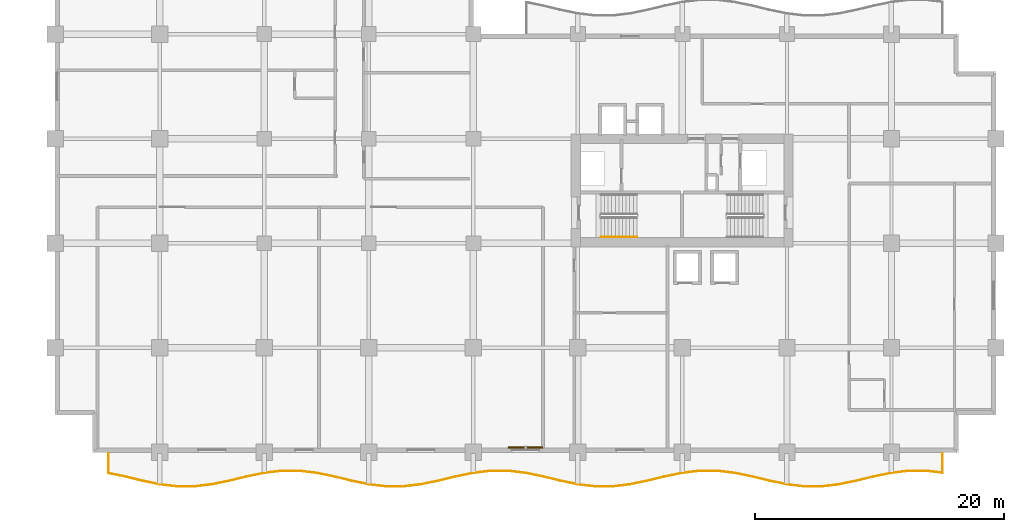
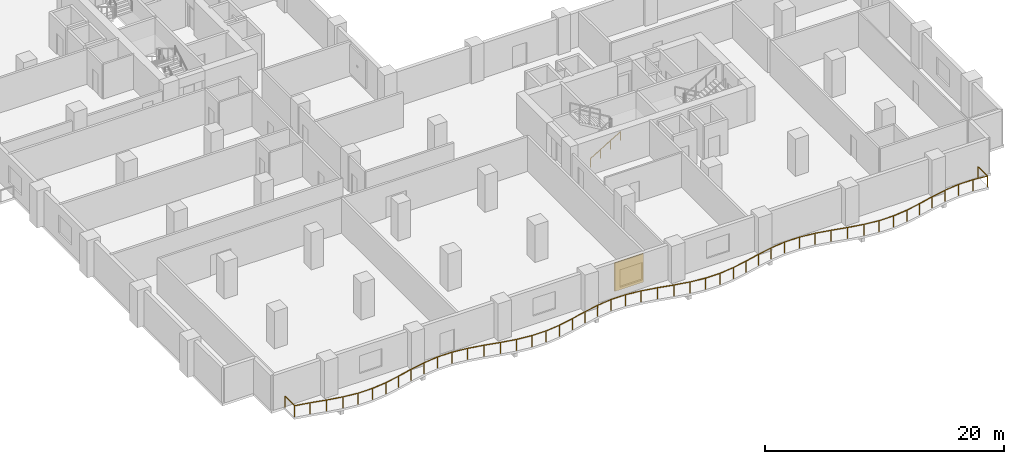
# One storey, part 12 of 15: 2 railings, 1 shading device.
"""IFC4 building model written with IfcOpenShell, lengths in metres."""

from ifc_helpers import new_model, si_unit, direction, frame, origin, origin_2d, place, context, subcontext, project, spatial, rectangle, circle, extrude, material, layer, layer_set, type_object, element, save


model = new_model("IFC4")

# Units and contexts
model_context = context("Model", 3, precision=1e-05, world=origin(), true_north=direction((0.0, 1.0)))
body_context = subcontext(model_context, "Body", "Model", "MODEL_VIEW")
ifc_project = project(units=[si_unit("LENGTHUNIT", "METRE"), si_unit("AREAUNIT", "SQUARE_METRE"), si_unit("VOLUMEUNIT", "CUBIC_METRE"), si_unit("PLANEANGLEUNIT", "RADIAN"), si_unit("MASSUNIT", "GRAM", prefix="KILO")], contexts=[model_context])

# Site, building, storey
site_placement = place(None, origin())
site = spatial("IfcSite", under=ifc_project, at=site_placement, CompositionType="ELEMENT")
building_placement = place(site_placement, origin())
building = spatial("IfcBuilding", under=site, at=building_placement, Name="Koriwani Terraces Tower", CompositionType="ELEMENT")
storey_placement = place(building_placement, frame((0.0, 0.0, 138.0)))
storey = spatial("IfcBuildingStorey", under=building, at=storey_placement, Name="L33", CompositionType="ELEMENT", Elevation=138.0)

# Railings
ifc_material_1 = material(Name="Steel ASTM A572 Grade 50", Category="steel")
railing_type_1 = type_object("IfcRailingType", Name="GUARD_BALUSTRADE_1150", PredefinedType="BALUSTRADE", material=ifc_material_1)
railing_1_placement = place(storey_placement, frame((4.280029296875, -0.080078125, 0.0)))
element("IfcRailing", 1, at=railing_1_placement, inside=storey, type_object=railing_type_1, Name="L33 Balcony Perimeter Safety Balustrade (S)", PredefinedType="BALUSTRADE", context=body_context, shape_type="SweptSolid", body=[
    extrude(circle(Radius=0.02392578125, at=origin_2d()), frame((0.0, 0.0, 1.1259765625), z_axis=(0.0, -1.0, 0.0), x_axis=(1.0, 0.0, 0.0)), (0.0, 0.0, 1.0), 1.59521484375),
    extrude(circle(Radius=0.02392578125, at=origin_2d()), frame((0.0, -1.59521484375, 1.1259765625), z_axis=(0.979025001838, -0.20374014277, 0.0), x_axis=(0.20374014277, 0.979025001838, 0.0)), (0.0, 0.0, 1.0), 1.365966796875),
    extrude(circle(Radius=0.02392578125, at=origin_2d()), frame((1.33740234375, -1.87353515625, 1.1259765625), z_axis=(0.972325709638, -0.233629438166, 0.0), x_axis=(0.233629438166, 0.972325709638, 0.0)), (0.0, 0.0, 1.0), 1.43994140625),
    extrude(circle(Radius=0.02392578125, at=origin_2d()), frame((2.737548828125, -2.2099609375, 1.1259765625), z_axis=(0.979001791719, -0.20385164167, 0.0), x_axis=(0.20385164167, 0.979001791719, 0.0)), (0.0, 0.0, 1.0), 1.42529296875),
    extrude(circle(Radius=0.02392578125, at=origin_2d()), frame((4.1328125, -2.50048828125, 1.1259765625), z_axis=(0.992858697273, -0.119296300234, 0.0), x_axis=(0.119296300234, 0.992858697273, 0.0)), (0.0, 0.0, 1.0), 1.40185546875),
    extrude(circle(Radius=0.02392578125, at=origin_2d()), frame((5.524658203125, -2.667724609375, 1.1259765625), z_axis=(1.0, 0.0, 0.0), x_axis=(0.0, 1.0, 0.0)), (0.0, 0.0, 1.0), 1.390625),
    extrude(circle(Radius=0.02392578125, at=origin_2d()), frame((6.915283203125, -2.667724609375, 1.1259765625), z_axis=(0.992858697273, 0.119296300234, 0.0), x_axis=(-0.119296300234, 0.992858697273, 0.0)), (0.0, 0.0, 1.0), 1.40185546875),
    extrude(circle(Radius=0.02392578125, at=origin_2d()), frame((8.30712890625, -2.50048828125, 1.1259765625), z_axis=(0.979001791719, 0.20385164167, 0.0), x_axis=(-0.20385164167, 0.979001791719, 0.0)), (0.0, 0.0, 1.0), 1.42529296875),
    extrude(circle(Radius=0.02392578125, at=origin_2d()), frame((9.702392578125, -2.2099609375, 1.1259765625), z_axis=(0.972325709638, 0.233629438166, 0.0), x_axis=(-0.233629438166, 0.972325709638, 0.0)), (0.0, 0.0, 1.0), 1.43994140625),
    extrude(circle(Radius=0.02392578125, at=origin_2d()), frame((11.1025390625, -1.87353515625, 1.1259765625), z_axis=(0.979066698056, 0.203539678581, 0.0), x_axis=(-0.203539678581, 0.979066698056, 0.0)), (0.0, 0.0, 1.0), 1.4345703125),
    extrude(circle(Radius=0.02392578125, at=origin_2d()), frame((12.507080078125, -1.58154296875, 1.1259765625), z_axis=(0.992859723616, 0.119287758056, 0.0), x_axis=(-0.119287758056, 0.992859723616, 0.0)), (0.0, 0.0, 1.0), 1.418212890625),
    extrude(circle(Radius=0.02392578125, at=origin_2d()), frame((13.915283203125, -1.412353515625, 1.1259765625), z_axis=(1.0, 0.0, 0.0), x_axis=(0.0, 1.0, 0.0)), (0.0, 0.0, 1.0), 1.409423828125),
    extrude(circle(Radius=0.02392578125, at=origin_2d()), frame((15.32470703125, -1.412353515625, 1.1259765625), z_axis=(0.992859723616, -0.119287758056, 0.0), x_axis=(0.119287758056, 0.992859723616, 0.0)), (0.0, 0.0, 1.0), 1.418212890625),
    extrude(circle(Radius=0.02392578125, at=origin_2d()), frame((16.73291015625, -1.58154296875, 1.1259765625), z_axis=(0.979066698056, -0.203539678581, 0.0), x_axis=(0.203539678581, 0.979066698056, 0.0)), (0.0, 0.0, 1.0), 1.4345703125),
    extrude(circle(Radius=0.02392578125, at=origin_2d()), frame((18.137451171875, -1.87353515625, 1.1259765625), z_axis=(0.972316453264, -0.233667958249, 0.0), x_axis=(0.233667958249, 0.972316453264, 0.0)), (0.0, 0.0, 1.0), 1.439697265625),
    extrude(circle(Radius=0.02392578125, at=origin_2d()), frame((19.537353515625, -2.2099609375, 1.1259765625), z_axis=(0.979008908546, -0.203817459967, 0.0), x_axis=(0.203817459967, 0.979008908546, 0.0)), (0.0, 0.0, 1.0), 1.425537109375),
    extrude(circle(Radius=0.02392578125, at=origin_2d()), frame((20.932861328125, -2.50048828125, 1.1259765625), z_axis=(0.992858697273, -0.119296300234, 0.0), x_axis=(0.119296300234, 0.992858697273, 0.0)), (0.0, 0.0, 1.0), 1.40185546875),
    extrude(circle(Radius=0.02392578125, at=origin_2d()), frame((22.32470703125, -2.667724609375, 1.1259765625), z_axis=(1.0, 0.0, 0.0), x_axis=(0.0, 1.0, 0.0)), (0.0, 0.0, 1.0), 1.390380859375),
    extrude(circle(Radius=0.02392578125, at=origin_2d()), frame((23.715087890625, -2.667724609375, 1.1259765625), z_axis=(0.992861175138, 0.119275676073, 0.0), x_axis=(-0.119275676073, 0.992861175138, 0.0)), (0.0, 0.0, 1.0), 1.402099609375),
    extrude(circle(Radius=0.02392578125, at=origin_2d()), frame((25.107177734375, -2.50048828125, 1.1259765625), z_axis=(0.979001791719, 0.20385164167, 0.0), x_axis=(-0.20385164167, 0.979001791719, 0.0)), (0.0, 0.0, 1.0), 1.42529296875),
    extrude(circle(Radius=0.02392578125, at=origin_2d()), frame((26.50244140625, -2.2099609375, 1.1259765625), z_axis=(0.972325709638, 0.233629438166, 0.0), x_axis=(-0.233629438166, 0.972325709638, 0.0)), (0.0, 0.0, 1.0), 1.43994140625),
    extrude(circle(Radius=0.02392578125, at=origin_2d()), frame((27.902587890625, -1.87353515625, 1.1259765625), z_axis=(0.979066698056, 0.203539678581, 0.0), x_axis=(-0.203539678581, 0.979066698056, 0.0)), (0.0, 0.0, 1.0), 1.4345703125),
    extrude(circle(Radius=0.02392578125, at=origin_2d()), frame((29.30712890625, -1.58154296875, 1.1259765625), z_axis=(0.992857273618, 0.119308148191, 0.0), x_axis=(-0.119308148191, 0.992857273618, 0.0)), (0.0, 0.0, 1.0), 1.41796875),
    extrude(circle(Radius=0.02392578125, at=origin_2d()), frame((30.715087890625, -1.412353515625, 1.1259765625), z_axis=(1.0, 0.0, 0.0), x_axis=(0.0, 1.0, 0.0)), (0.0, 0.0, 1.0), 1.40966796875),
    extrude(circle(Radius=0.02392578125, at=origin_2d()), frame((32.124755859375, -1.412353515625, 1.1259765625), z_axis=(0.992859723616, -0.119287758056, 0.0), x_axis=(0.119287758056, 0.992859723616, 0.0)), (0.0, 0.0, 1.0), 1.418212890625),
    extrude(circle(Radius=0.02392578125, at=origin_2d()), frame((33.532958984375, -1.58154296875, 1.1259765625), z_axis=(0.979066698056, -0.203539678581, 0.0), x_axis=(0.203539678581, 0.979066698056, 0.0)), (0.0, 0.0, 1.0), 1.4345703125),
    extrude(circle(Radius=0.02392578125, at=origin_2d()), frame((34.9375, -1.87353515625, 1.1259765625), z_axis=(0.972316453264, -0.233667958249, 0.0), x_axis=(0.233667958249, 0.972316453264, 0.0)), (0.0, 0.0, 1.0), 1.439697265625),
    extrude(circle(Radius=0.02392578125, at=origin_2d()), frame((36.33740234375, -2.2099609375, 1.1259765625), z_axis=(0.979008908546, -0.203817459967, 0.0), x_axis=(0.203817459967, 0.979008908546, 0.0)), (0.0, 0.0, 1.0), 1.425537109375),
    extrude(circle(Radius=0.02392578125, at=origin_2d()), frame((37.73291015625, -2.50048828125, 1.1259765625), z_axis=(0.992858697273, -0.119296300234, 0.0), x_axis=(0.119296300234, 0.992858697273, 0.0)), (0.0, 0.0, 1.0), 1.40185546875),
    extrude(circle(Radius=0.02392578125, at=origin_2d()), frame((39.124755859375, -2.667724609375, 1.1259765625), z_axis=(1.0, 0.0, 0.0), x_axis=(0.0, 1.0, 0.0)), (0.0, 0.0, 1.0), 1.390380859375),
    extrude(circle(Radius=0.02392578125, at=origin_2d()), frame((40.51513671875, -2.667724609375, 1.1259765625), z_axis=(0.992858697273, 0.119296300234, 0.0), x_axis=(-0.119296300234, 0.992858697273, 0.0)), (0.0, 0.0, 1.0), 1.40185546875),
    extrude(circle(Radius=0.02392578125, at=origin_2d()), frame((41.906982421875, -2.50048828125, 1.1259765625), z_axis=(0.979008908546, 0.203817459967, 0.0), x_axis=(-0.203817459967, 0.979008908546, 0.0)), (0.0, 0.0, 1.0), 1.425537109375),
    extrude(circle(Radius=0.02392578125, at=origin_2d()), frame((43.302490234375, -2.2099609375, 1.1259765625), z_axis=(0.972316453264, 0.233667958249, 0.0), x_axis=(-0.233667958249, 0.972316453264, 0.0)), (0.0, 0.0, 1.0), 1.439697265625),
    extrude(circle(Radius=0.02392578125, at=origin_2d()), frame((44.702392578125, -1.87353515625, 1.1259765625), z_axis=(0.979073746732, 0.203505770089, 0.0), x_axis=(-0.203505770089, 0.979073746732, 0.0)), (0.0, 0.0, 1.0), 1.434814453125),
    extrude(circle(Radius=0.02392578125, at=origin_2d()), frame((46.107177734375, -1.58154296875, 1.1259765625), z_axis=(0.992857273618, 0.119308148191, 0.0), x_axis=(-0.119308148191, 0.992857273618, 0.0)), (0.0, 0.0, 1.0), 1.41796875),
    extrude(circle(Radius=0.02392578125, at=origin_2d()), frame((47.51513671875, -1.412353515625, 1.1259765625), z_axis=(1.0, 0.0, 0.0), x_axis=(0.0, 1.0, 0.0)), (0.0, 0.0, 1.0), 1.40966796875),
    extrude(circle(Radius=0.02392578125, at=origin_2d()), frame((48.9248046875, -1.412353515625, 1.1259765625), z_axis=(0.992857273618, -0.119308148191, 0.0), x_axis=(0.119308148191, 0.992857273618, 0.0)), (0.0, 0.0, 1.0), 1.41796875),
    extrude(circle(Radius=0.02392578125, at=origin_2d()), frame((50.332763671875, -1.58154296875, 1.1259765625), z_axis=(0.979073746732, -0.203505770089, 0.0), x_axis=(0.203505770089, 0.979073746732, 0.0)), (0.0, 0.0, 1.0), 1.434814453125),
    extrude(circle(Radius=0.02392578125, at=origin_2d()), frame((51.737548828125, -1.87353515625, 1.1259765625), z_axis=(0.972316453264, -0.233667958249, 0.0), x_axis=(0.233667958249, 0.972316453264, 0.0)), (0.0, 0.0, 1.0), 1.439697265625),
    extrude(circle(Radius=0.02392578125, at=origin_2d()), frame((53.137451171875, -2.2099609375, 1.1259765625), z_axis=(0.979008908546, -0.203817459967, 0.0), x_axis=(0.203817459967, 0.979008908546, 0.0)), (0.0, 0.0, 1.0), 1.425537109375),
    extrude(circle(Radius=0.02392578125, at=origin_2d()), frame((54.532958984375, -2.50048828125, 1.1259765625), z_axis=(0.992858697273, -0.119296300234, 0.0), x_axis=(0.119296300234, 0.992858697273, 0.0)), (0.0, 0.0, 1.0), 1.40185546875),
    extrude(circle(Radius=0.02392578125, at=origin_2d()), frame((55.9248046875, -2.667724609375, 1.1259765625), z_axis=(1.0, 0.0, 0.0), x_axis=(0.0, 1.0, 0.0)), (0.0, 0.0, 1.0), 1.390380859375),
    extrude(circle(Radius=0.02392578125, at=origin_2d()), frame((57.315185546875, -2.667724609375, 1.1259765625), z_axis=(0.992858697273, 0.119296300234, 0.0), x_axis=(-0.119296300234, 0.992858697273, 0.0)), (0.0, 0.0, 1.0), 1.40185546875),
    extrude(circle(Radius=0.02392578125, at=origin_2d()), frame((58.70703125, -2.50048828125, 1.1259765625), z_axis=(0.979008908546, 0.203817459967, 0.0), x_axis=(-0.203817459967, 0.979008908546, 0.0)), (0.0, 0.0, 1.0), 1.425537109375),
    extrude(circle(Radius=0.02392578125, at=origin_2d()), frame((60.1025390625, -2.2099609375, 1.1259765625), z_axis=(0.972316453264, 0.233667958249, 0.0), x_axis=(-0.233667958249, 0.972316453264, 0.0)), (0.0, 0.0, 1.0), 1.439697265625),
    extrude(circle(Radius=0.02392578125, at=origin_2d()), frame((61.50244140625, -1.87353515625, 1.1259765625), z_axis=(0.979066698056, 0.203539678581, 0.0), x_axis=(-0.203539678581, 0.979066698056, 0.0)), (0.0, 0.0, 1.0), 1.4345703125),
    extrude(circle(Radius=0.02392578125, at=origin_2d()), frame((62.906982421875, -1.58154296875, 1.1259765625), z_axis=(0.992859723616, 0.119287758056, 0.0), x_axis=(-0.119287758056, 0.992859723616, 0.0)), (0.0, 0.0, 1.0), 1.418212890625),
    extrude(circle(Radius=0.02392578125, at=origin_2d()), frame((64.315185546875, -1.412353515625, 1.1259765625), z_axis=(1.0, 0.0, 0.0), x_axis=(0.0, 1.0, 0.0)), (0.0, 0.0, 1.0), 1.40966796875),
    extrude(circle(Radius=0.02392578125, at=origin_2d()), frame((65.724853515625, -1.412353515625, 1.1259765625), z_axis=(0.992886428773, -0.119065274362, 0.0), x_axis=(0.119065274362, 0.992886428773, 0.0)), (0.0, 0.0, 1.0), 1.32470703125),
    extrude(circle(Radius=0.02392578125, at=origin_2d()), frame((67.0400390625, -1.570068359375, 1.1259765625), z_axis=(0.0, 1.0, 0.0), x_axis=(-1.0, 0.0, 0.0)), (0.0, 0.0, 1.0), 1.570068359375),
    extrude(circle(Radius=0.02099609375, at=origin_2d()), origin(), (0.0, 0.0, 1.0), 1.101806640625),
    extrude(circle(Radius=0.02099609375, at=origin_2d()), frame((0.0, -1.59521484375, 0.0)), (0.0, 0.0, 1.0), 1.101806640625),
    extrude(circle(Radius=0.02099609375, at=origin_2d()), frame((1.33740234375, -1.87353515625, 0.0)), (0.0, 0.0, 1.0), 1.101806640625),
    extrude(circle(Radius=0.02099609375, at=origin_2d()), frame((2.737548828125, -2.2099609375, 0.0)), (0.0, 0.0, 1.0), 1.101806640625),
    extrude(circle(Radius=0.02099609375, at=origin_2d()), frame((4.1328125, -2.50048828125, 0.0)), (0.0, 0.0, 1.0), 1.101806640625),
    extrude(circle(Radius=0.02099609375, at=origin_2d()), frame((5.524658203125, -2.667724609375, 0.0)), (0.0, 0.0, 1.0), 1.101806640625),
    extrude(circle(Radius=0.02099609375, at=origin_2d()), frame((6.915283203125, -2.667724609375, 0.0)), (0.0, 0.0, 1.0), 1.101806640625),
    extrude(circle(Radius=0.02099609375, at=origin_2d()), frame((8.30712890625, -2.50048828125, 0.0)), (0.0, 0.0, 1.0), 1.101806640625),
    extrude(circle(Radius=0.02099609375, at=origin_2d()), frame((9.702392578125, -2.2099609375, 0.0)), (0.0, 0.0, 1.0), 1.101806640625),
    extrude(circle(Radius=0.02099609375, at=origin_2d()), frame((11.1025390625, -1.87353515625, 0.0)), (0.0, 0.0, 1.0), 1.101806640625),
    extrude(circle(Radius=0.02099609375, at=origin_2d()), frame((12.507080078125, -1.58154296875, 0.0)), (0.0, 0.0, 1.0), 1.101806640625),
    extrude(circle(Radius=0.02099609375, at=origin_2d()), frame((13.915283203125, -1.412353515625, 0.0)), (0.0, 0.0, 1.0), 1.101806640625),
    extrude(circle(Radius=0.02099609375, at=origin_2d()), frame((15.32470703125, -1.412353515625, 0.0)), (0.0, 0.0, 1.0), 1.101806640625),
    extrude(circle(Radius=0.02099609375, at=origin_2d()), frame((16.73291015625, -1.58154296875, 0.0)), (0.0, 0.0, 1.0), 1.101806640625),
    extrude(circle(Radius=0.02099609375, at=origin_2d()), frame((18.137451171875, -1.87353515625, 0.0)), (0.0, 0.0, 1.0), 1.101806640625),
    extrude(circle(Radius=0.02099609375, at=origin_2d()), frame((19.537353515625, -2.2099609375, 0.0)), (0.0, 0.0, 1.0), 1.101806640625),
    extrude(circle(Radius=0.02099609375, at=origin_2d()), frame((20.932861328125, -2.50048828125, 0.0)), (0.0, 0.0, 1.0), 1.101806640625),
    extrude(circle(Radius=0.02099609375, at=origin_2d()), frame((22.32470703125, -2.667724609375, 0.0)), (0.0, 0.0, 1.0), 1.101806640625),
    extrude(circle(Radius=0.02099609375, at=origin_2d()), frame((23.715087890625, -2.667724609375, 0.0)), (0.0, 0.0, 1.0), 1.101806640625),
    extrude(circle(Radius=0.02099609375, at=origin_2d()), frame((25.107177734375, -2.50048828125, 0.0)), (0.0, 0.0, 1.0), 1.101806640625),
    extrude(circle(Radius=0.02099609375, at=origin_2d()), frame((26.50244140625, -2.2099609375, 0.0)), (0.0, 0.0, 1.0), 1.101806640625),
    extrude(circle(Radius=0.02099609375, at=origin_2d()), frame((27.902587890625, -1.87353515625, 0.0)), (0.0, 0.0, 1.0), 1.101806640625),
    extrude(circle(Radius=0.02099609375, at=origin_2d()), frame((29.30712890625, -1.58154296875, 0.0)), (0.0, 0.0, 1.0), 1.101806640625),
    extrude(circle(Radius=0.02099609375, at=origin_2d()), frame((30.715087890625, -1.412353515625, 0.0)), (0.0, 0.0, 1.0), 1.101806640625),
    extrude(circle(Radius=0.02099609375, at=origin_2d()), frame((32.124755859375, -1.412353515625, 0.0)), (0.0, 0.0, 1.0), 1.101806640625),
    extrude(circle(Radius=0.02099609375, at=origin_2d()), frame((33.532958984375, -1.58154296875, 0.0)), (0.0, 0.0, 1.0), 1.101806640625),
    extrude(circle(Radius=0.02099609375, at=origin_2d()), frame((34.9375, -1.87353515625, 0.0)), (0.0, 0.0, 1.0), 1.101806640625),
    extrude(circle(Radius=0.02099609375, at=origin_2d()), frame((36.33740234375, -2.2099609375, 0.0)), (0.0, 0.0, 1.0), 1.101806640625),
    extrude(circle(Radius=0.02099609375, at=origin_2d()), frame((37.73291015625, -2.50048828125, 0.0)), (0.0, 0.0, 1.0), 1.101806640625),
    extrude(circle(Radius=0.02099609375, at=origin_2d()), frame((39.124755859375, -2.667724609375, 0.0)), (0.0, 0.0, 1.0), 1.101806640625),
    extrude(circle(Radius=0.02099609375, at=origin_2d()), frame((40.51513671875, -2.667724609375, 0.0)), (0.0, 0.0, 1.0), 1.101806640625),
    extrude(circle(Radius=0.02099609375, at=origin_2d()), frame((41.906982421875, -2.50048828125, 0.0)), (0.0, 0.0, 1.0), 1.101806640625),
    extrude(circle(Radius=0.02099609375, at=origin_2d()), frame((43.302490234375, -2.2099609375, 0.0)), (0.0, 0.0, 1.0), 1.101806640625),
    extrude(circle(Radius=0.02099609375, at=origin_2d()), frame((44.702392578125, -1.87353515625, 0.0)), (0.0, 0.0, 1.0), 1.101806640625),
    extrude(circle(Radius=0.02099609375, at=origin_2d()), frame((46.107177734375, -1.58154296875, 0.0)), (0.0, 0.0, 1.0), 1.101806640625),
    extrude(circle(Radius=0.02099609375, at=origin_2d()), frame((47.51513671875, -1.412353515625, 0.0)), (0.0, 0.0, 1.0), 1.101806640625),
    extrude(circle(Radius=0.02099609375, at=origin_2d()), frame((48.9248046875, -1.412353515625, 0.0)), (0.0, 0.0, 1.0), 1.101806640625),
    extrude(circle(Radius=0.02099609375, at=origin_2d()), frame((50.332763671875, -1.58154296875, 0.0)), (0.0, 0.0, 1.0), 1.101806640625),
    extrude(circle(Radius=0.02099609375, at=origin_2d()), frame((51.737548828125, -1.87353515625, 0.0)), (0.0, 0.0, 1.0), 1.101806640625),
    extrude(circle(Radius=0.02099609375, at=origin_2d()), frame((53.137451171875, -2.2099609375, 0.0)), (0.0, 0.0, 1.0), 1.101806640625),
    extrude(circle(Radius=0.02099609375, at=origin_2d()), frame((54.532958984375, -2.50048828125, 0.0)), (0.0, 0.0, 1.0), 1.101806640625),
    extrude(circle(Radius=0.02099609375, at=origin_2d()), frame((55.9248046875, -2.667724609375, 0.0)), (0.0, 0.0, 1.0), 1.101806640625),
    extrude(circle(Radius=0.02099609375, at=origin_2d()), frame((57.315185546875, -2.667724609375, 0.0)), (0.0, 0.0, 1.0), 1.101806640625),
    extrude(circle(Radius=0.02099609375, at=origin_2d()), frame((58.70703125, -2.50048828125, 0.0)), (0.0, 0.0, 1.0), 1.101806640625),
    extrude(circle(Radius=0.02099609375, at=origin_2d()), frame((60.1025390625, -2.2099609375, 0.0)), (0.0, 0.0, 1.0), 1.101806640625),
    extrude(circle(Radius=0.02099609375, at=origin_2d()), frame((61.50244140625, -1.87353515625, 0.0)), (0.0, 0.0, 1.0), 1.101806640625),
    extrude(circle(Radius=0.02099609375, at=origin_2d()), frame((62.906982421875, -1.58154296875, 0.0)), (0.0, 0.0, 1.0), 1.101806640625),
    extrude(circle(Radius=0.02099609375, at=origin_2d()), frame((64.315185546875, -1.412353515625, 0.0)), (0.0, 0.0, 1.0), 1.101806640625),
    extrude(circle(Radius=0.02099609375, at=origin_2d()), frame((65.724853515625, -1.412353515625, 0.0)), (0.0, 0.0, 1.0), 1.101806640625),
    extrude(circle(Radius=0.02099609375, at=origin_2d()), frame((67.0400390625, -1.570068359375, 0.0)), (0.0, 0.0, 1.0), 1.101806640625),
    extrude(circle(Radius=0.02099609375, at=origin_2d()), frame((67.0400390625, 0.0, 0.0)), (0.0, 0.0, 1.0), 1.101806640625),
])
railing_type_2 = type_object("IfcRailingType", Name="HANDRAIL_STAIR_920", PredefinedType="HANDRAIL", material=ifc_material_1)
railing_2_placement = place(storey_placement, frame((43.85009765625, 17.300048828125, 0.172607421875)))
element("IfcRailing", 2, at=railing_2_placement, inside=storey, type_object=railing_type_2, Name="L33 ST-E1 stair handrail 1", PredefinedType="HANDRAIL", context=body_context, shape_type="SweptSolid", body=[
    extrude(circle(Radius=0.02392578125, at=origin_2d()), frame((0.0, 0.0, 0.8759765625), z_axis=(0.859141464434, 0.0, 0.511738159696), x_axis=(0.0, 1.0, 0.0)), (0.0, 0.0, 1.0), 3.375244140625),
    extrude(circle(Radius=0.02099609375, at=origin_2d()), origin(), (0.0, 0.0, 1.0), 0.851806640625),
    extrude(circle(Radius=0.02099609375, at=origin_2d()), frame((0.966552734375, 0.0, 0.57568359375)), (0.0, 0.0, 1.0), 0.851806640625),
    extrude(circle(Radius=0.02099609375, at=origin_2d()), frame((1.933349609375, 0.0, 1.151611328125)), (0.0, 0.0, 1.0), 0.851806640625),
    extrude(circle(Radius=0.02099609375, at=origin_2d()), frame((2.89990234375, 0.0, 1.727294921875)), (0.0, 0.0, 1.0), 0.851806640625),
])

# Shading device
ifc_material_2 = material(Name="Extruded Terracotta Clay", Category="masonry")
ifc_layer = layer(ifc_material_2, 0.1201171875, Name="Extruded Terracotta Clay")
ifc_layer_set = layer_set([ifc_layer], Name="Extruded Terracotta Clay")
shading_device_type = type_object("IfcShadingDeviceType", Name="TERRACOTTA_BAGUETTE_SCREEN_2800", PredefinedType="USERDEFINED", material=ifc_layer_set)
shading_device_placement = place(storey_placement, frame((37.800048828125, 0.405029296875, 0.324951171875), z_axis=(0.0, 0.0, 1.0), x_axis=(-1.0, 0.0, 0.0)))
element("IfcShadingDevice", 3, at=shading_device_placement, inside=storey, type_object=shading_device_type, Name="L33 Extruded Terracotta Baguette Screen (S-12)", ObjectType="BAGUETTE", PredefinedType="USERDEFINED", context=body_context, shape_type="SweptSolid", body=[
    extrude(rectangle(XDim=2.760009765625, YDim=0.1201171875, at=origin_2d()), origin(), (0.0, 0.0, 1.0), 2.89990234375),
])

save(model, "model.ifc")
